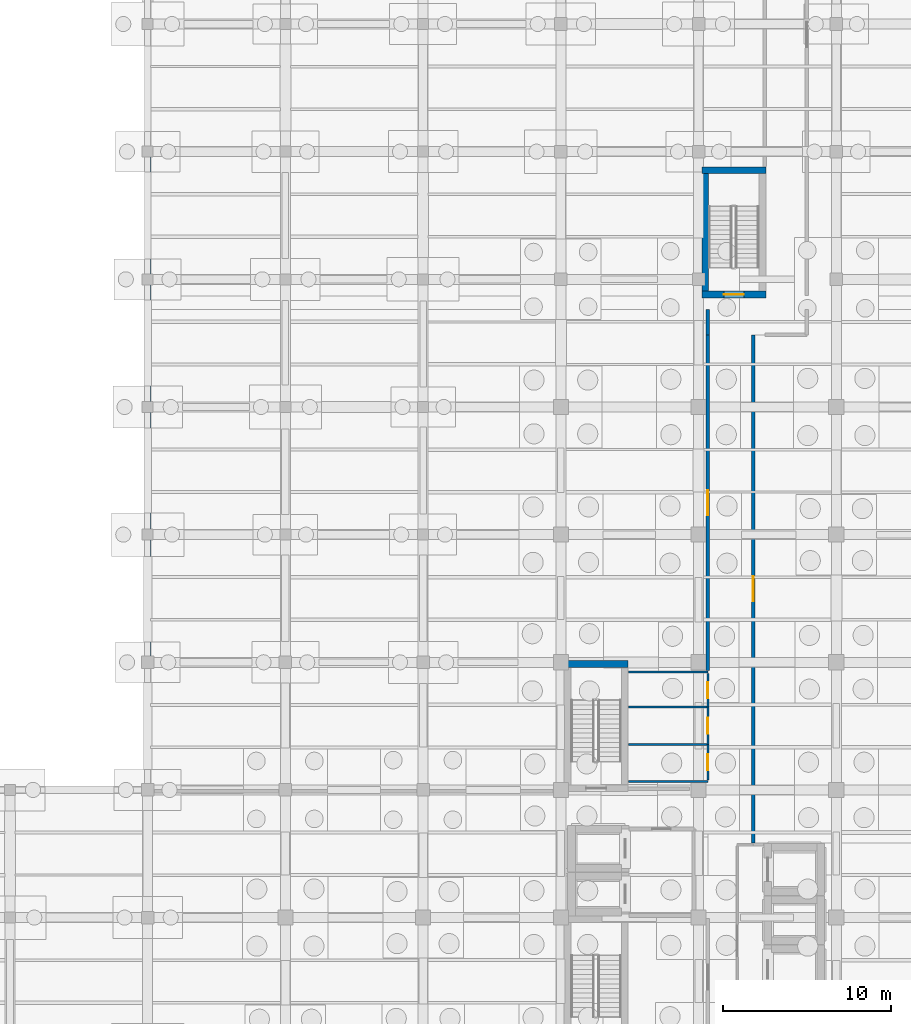
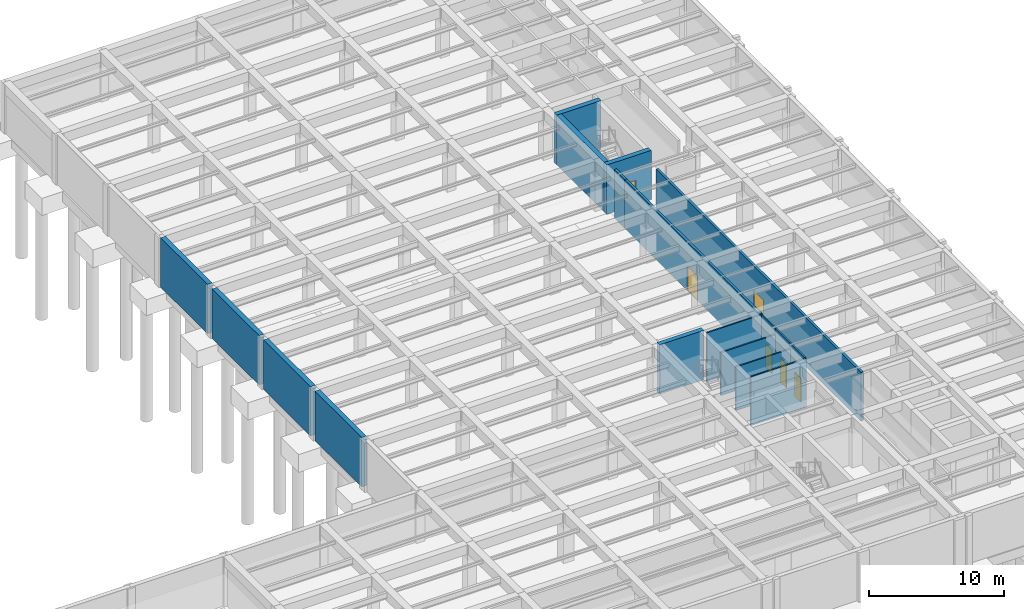
# One storey, part 19 of 29: 18 walls, 6 doors, 6 openings.
"""IFC4 building model written with IfcOpenShell, lengths in metres."""

from ifc_helpers import new_model, si_unit, direction, frame, frame_2d, origin, place, context, subcontext, project, spatial, rectangle, extrude, material, layer, layer_set, type_object, element, fill, save


model = new_model("IFC4")

# Units and contexts
model_context = context("Model", 3, precision=1e-05, world=origin(), true_north=direction((0.0, 1.0)))
body_context = subcontext(model_context, "Body", "Model", "MODEL_VIEW")
ifc_project = project(units=[si_unit("LENGTHUNIT", "METRE"), si_unit("AREAUNIT", "SQUARE_METRE"), si_unit("VOLUMEUNIT", "CUBIC_METRE"), si_unit("PLANEANGLEUNIT", "RADIAN"), si_unit("MASSUNIT", "GRAM", prefix="KILO")], contexts=[model_context])

# Site, building, storey
site_placement = place(None, origin())
site = spatial("IfcSite", under=ifc_project, at=site_placement, CompositionType="ELEMENT")
building_placement = place(site_placement, origin())
building = spatial("IfcBuilding", under=site, at=building_placement, Name="Qandaris Square Conservatory and Botanical Centre", CompositionType="ELEMENT")
storey_placement = place(building_placement, frame((0.0, 0.0, -4.800048828125)))
storey = spatial("IfcBuildingStorey", under=building, at=storey_placement, Name="B1", CompositionType="ELEMENT", Elevation=-4.800048828125)

# Walls
ifc_material_1 = material(Name="Concrete C50/60", Category="concrete")
ifc_layer_1 = layer(ifc_material_1, 0.39990234375)
ifc_layer_set_1 = layer_set([ifc_layer_1], Name="Concrete C50/60")
wall_type_1 = type_object("IfcWallType", Name="Basement Waterproof RC Retaining Wall 400mm", PredefinedType="SOLIDWALL", material=ifc_layer_set_1)
wall_1_placement = place(storey_placement, frame((114.60009765625, 47.375, 0.0), z_axis=(0.0, 0.0, 1.0), x_axis=(0.0, 1.0, 0.0)))
element("IfcWall", 1, at=wall_1_placement, inside=storey, type_object=wall_type_1, Name="Basement Retaining Wall 012", PredefinedType="SOLIDWALL", context=body_context, shape_type="SweptSolid", body=[
    extrude(rectangle(XDim=6.89990234375, YDim=0.39990234375, at=frame_2d((3.449951171875, 0.0))), origin(), (0.0, 0.0, 1.0), 4.4599609375),
])
wall_2_placement = place(storey_placement, frame((114.60009765625, 54.925048828125, 0.0), z_axis=(0.0, 0.0, 1.0), x_axis=(0.0, 1.0, 0.0)))
element("IfcWall", 2, at=wall_2_placement, inside=storey, type_object=wall_type_1, Name="Basement Retaining Wall 013", PredefinedType="SOLIDWALL", context=body_context, shape_type="SweptSolid", body=[
    extrude(rectangle(XDim=6.949951171875, YDim=0.39990234375, at=frame_2d((3.47509765625, 0.0))), origin(), (0.0, 0.0, 1.0), 4.4599609375),
])
wall_3_placement = place(storey_placement, frame((114.60009765625, 62.52490234375, 0.0), z_axis=(0.0, 0.0, 1.0), x_axis=(0.0, 1.0, 0.0)))
element("IfcWall", 3, at=wall_3_placement, inside=storey, type_object=wall_type_1, Name="Basement Retaining Wall 014", PredefinedType="SOLIDWALL", context=body_context, shape_type="SweptSolid", body=[
    extrude(rectangle(XDim=6.9501953125, YDim=0.39990234375, at=frame_2d((3.47509765625, 0.0))), origin(), (0.0, 0.0, 1.0), 4.4599609375),
])
wall_4_placement = place(storey_placement, frame((114.60009765625, 70.125, 0.0), z_axis=(0.0, 0.0, 1.0), x_axis=(0.0, 1.0, 0.0)))
element("IfcWall", 4, at=wall_4_placement, inside=storey, type_object=wall_type_1, Name="Basement Retaining Wall 015", PredefinedType="SOLIDWALL", context=body_context, shape_type="SweptSolid", body=[
    extrude(rectangle(XDim=6.949951171875, YDim=0.39990234375, at=frame_2d((3.47509765625, 0.0))), origin(), (0.0, 0.0, 1.0), 4.4599609375),
])

# Wall, opening, door
ifc_material_2 = material(Name="Concrete C40/50", Category="concrete")
ifc_layer_2 = layer(ifc_material_2, 0.199951171875)
ifc_layer_set_2 = layer_set([ifc_layer_2], Name="Concrete C40/50")
wall_type_2 = type_object("IfcWallType", Name="Herbarium & Plant Compartment Wall 200mm", PredefinedType="PARTITIONING", material=ifc_layer_set_2)
wall_5_placement = place(storey_placement, frame((150.64990234375, 66.5, 0.0), z_axis=(0.0, 0.0, 1.0), x_axis=(0.0, -1.0, 0.0)))
wall_5 = element("IfcWall", 5, at=wall_5_placement, inside=storey, type_object=wall_type_2, Name="Interior Partition IW-B1-0018", PredefinedType="PARTITIONING", context=body_context, shape_type="SweptSolid", body=[
    extrude(rectangle(XDim=30.25, YDim=0.199951171875, at=frame_2d((15.125, 0.0))), origin(), (0.0, 0.0, 1.0), 4.405029296875),
])
opening_1_placement = place(wall_5_placement, frame((14.375, 0.0, 0.0)))
opening_1 = element("IfcOpeningElement", 6, at=opening_1_placement, cuts=wall_5, Name="Opening D-PLT1", PredefinedType="OPENING", context=body_context, shape_type="SweptSolid", body=[
    extrude(rectangle(XDim=1.5, YDim=2.199951171875, at=frame_2d((0.75, 1.10009765625))), frame((0.0, 0.11181640625, 0.0), z_axis=(0.0, -1.0, 0.0), x_axis=(1.0, 0.0, 0.0)), (0.0, 0.0, 1.0), 0.223876953125),
])
ifc_material_3 = material(Name="Steel S355", Category="steel")
door_type_1 = type_object("IfcDoorType", Name="Plant & Riser Double Fire Door 1500x2200", OperationType="DOUBLE_DOOR_SINGLE_SWING", PredefinedType="DOOR", material=ifc_material_3)
door_1_placement = place(opening_1_placement, origin())
door_1 = element("IfcDoor", 7, at=door_1_placement, inside=storey, type_object=door_type_1, Name="DR-0009 Main Chilled Water and Pump Hall Door", OperationType="DOUBLE_DOOR_SINGLE_SWING", OverallHeight=2.199951171875, OverallWidth=1.5, PredefinedType="DOOR", context=body_context, shape_type="SweptSolid", body=[
    extrude(rectangle(XDim=1.5, YDim=2.199951171875, at=frame_2d((0.75, 1.10009765625))), frame((0.0, 0.02490234375, 0.0), z_axis=(0.0, -1.0, 0.0), x_axis=(1.0, 0.0, 0.0)), (0.0, 0.0, 1.0), 0.050048828125),
])
fill(opening_1, door_1)

wall_6_placement = place(storey_placement, frame((147.949951171875, 46.510009765625, 0.0), z_axis=(0.0, 0.0, 1.0), x_axis=(0.0, 1.0, 0.0)))
wall_6 = element("IfcWall", 8, at=wall_6_placement, inside=storey, type_object=wall_type_2, Name="Interior Partition IW-B1-0022", PredefinedType="PARTITIONING", context=body_context, shape_type="SweptSolid", body=[
    extrude(rectangle(XDim=19.989990234375, YDim=0.199951171875, at=frame_2d((9.9951171875, 0.0))), origin(), (0.0, 0.0, 1.0), 4.405029296875),
])
opening_2_placement = place(wall_6_placement, frame((9.2451171875, 0.0, 0.0)))
opening_2 = element("IfcOpeningElement", 9, at=opening_2_placement, cuts=wall_6, Name="Opening D-PLT1", PredefinedType="OPENING", context=body_context, shape_type="SweptSolid", body=[
    extrude(rectangle(XDim=1.5, YDim=2.199951171875, at=frame_2d((0.75, 1.10009765625))), frame((0.0, 0.11181640625, 0.0), z_axis=(0.0, -1.0, 0.0), x_axis=(1.0, 0.0, 0.0)), (0.0, 0.0, 1.0), 0.223876953125),
])
door_2_placement = place(opening_2_placement, frame((1.5, 0.0, 0.0), z_axis=(0.0, 0.0, 1.0), x_axis=(-1.0, 0.0, 0.0)))
door_2 = element("IfcDoor", 10, at=door_2_placement, inside=storey, type_object=door_type_1, Name="DR-0012 Field Expedition Equipment Store Door", OperationType="DOUBLE_DOOR_SINGLE_SWING", OverallHeight=2.199951171875, OverallWidth=1.5, PredefinedType="DOOR", context=body_context, shape_type="SweptSolid", body=[
    extrude(rectangle(XDim=1.5, YDim=2.199951171875, at=frame_2d((0.75, 1.10009765625))), frame((0.0, 0.02490234375, 0.0), z_axis=(0.0, -1.0, 0.0), x_axis=(1.0, 0.0, 0.0)), (0.0, 0.0, 1.0), 0.050048828125),
])
fill(opening_2, door_2)

# Walls
wall_7_placement = place(storey_placement, frame((147.949951171875, 66.5, 0.0), z_axis=(0.0, 0.0, 1.0), x_axis=(0.0, 1.0, 0.0)))
element("IfcWall", 11, at=wall_7_placement, inside=storey, type_object=wall_type_2, Name="Interior Partition IW-B1-0023", PredefinedType="PARTITIONING", context=body_context, shape_type="SweptSolid", body=[
    extrude(rectangle(XDim=1.5, YDim=0.199951171875, at=frame_2d((0.75, 0.0))), origin(), (0.0, 0.0, 1.0), 4.405029296875),
])
ifc_layer_3 = layer(ifc_material_1, 0.39990234375)
ifc_layer_set_3 = layer_set([ifc_layer_3], Name="Concrete C50/60")
wall_type_3 = type_object("IfcWallType", Name="RC Stair Core Shear Wall 400mm", PredefinedType="SHEAR", material=ifc_layer_set_3)
wall_8_placement = place(storey_placement, frame((139.39990234375, 46.89990234375, 0.0), z_axis=(0.0, 0.0, 1.0), x_axis=(1.0, 0.0, 0.0)))
element("IfcWall", 12, at=wall_8_placement, inside=storey, type_object=wall_type_3, Name="ST-2 Core Shear Wall North (B1)", PredefinedType="SHEAR", context=body_context, shape_type="SweptSolid", body=[
    extrude(rectangle(XDim=3.800048828125, YDim=0.39990234375, at=frame_2d((1.89990234375, 0.0))), origin(), (0.0, 0.0, 1.0), 4.4599609375),
])

# Wall, opening, door
wall_9_placement = place(storey_placement, frame((147.60009765625, 68.89990234375, 0.0), z_axis=(0.0, 0.0, 1.0), x_axis=(1.0, 0.0, 0.0)))
wall_9 = element("IfcWall", 13, at=wall_9_placement, inside=storey, type_object=wall_type_3, Name="ST-3 Core Shear Wall South (B1)", PredefinedType="SHEAR", context=body_context, shape_type="SweptSolid", body=[
    extrude(rectangle(XDim=3.7998046875, YDim=0.39990234375, at=frame_2d((1.89990234375, 0.0))), origin(), (0.0, 0.0, 1.0), 4.4599609375),
])
opening_3_placement = place(wall_9_placement, frame((1.300048828125, 0.0, 0.0)))
opening_3 = element("IfcOpeningElement", 14, at=opening_3_placement, cuts=wall_9, Name="Opening D-ST1", PredefinedType="OPENING", context=body_context, shape_type="SweptSolid", body=[
    extrude(rectangle(XDim=1.199951171875, YDim=2.199951171875, at=frame_2d((0.60009765625, 1.10009765625))), frame((0.0, 0.2119140625, 0.0), z_axis=(0.0, -1.0, 0.0), x_axis=(1.0, 0.0, 0.0)), (0.0, 0.0, 1.0), 0.423828125),
])
door_type_2 = type_object("IfcDoorType", Name="Exit Stair Core Fire Door 1200x2200", OperationType="NOTDEFINED", PredefinedType="DOOR", material=ifc_material_3)
door_3_placement = place(opening_3_placement, origin())
door_3 = element("IfcDoor", 15, at=door_3_placement, inside=storey, type_object=door_type_2, Name="DR-0021 ST-3 Stair Core Door (B1)", OperationType="SINGLE_SWING_LEFT", OverallHeight=2.199951171875, OverallWidth=1.199951171875, PredefinedType="DOOR", context=body_context, shape_type="SweptSolid", body=[
    extrude(rectangle(XDim=1.199951171875, YDim=2.199951171875, at=frame_2d((0.60009765625, 1.10009765625))), frame((0.0, 0.02490234375, 0.0), z_axis=(0.0, -1.0, 0.0), x_axis=(1.0, 0.0, 0.0)), (0.0, 0.0, 1.0), 0.050048828125),
])
fill(opening_3, door_3)

# Walls
wall_10_placement = place(storey_placement, frame((147.60009765625, 76.300048828125, 0.0), z_axis=(0.0, 0.0, 1.0), x_axis=(1.0, 0.0, 0.0)))
element("IfcWall", 16, at=wall_10_placement, inside=storey, type_object=wall_type_3, Name="ST-3 Core Shear Wall North (B1)", PredefinedType="SHEAR", context=body_context, shape_type="SweptSolid", body=[
    extrude(rectangle(XDim=3.7998046875, YDim=0.39990234375, at=frame_2d((1.89990234375, 0.0))), origin(), (0.0, 0.0, 1.0), 4.4599609375),
])
wall_11_placement = place(storey_placement, frame((147.800048828125, 69.10009765625, 0.0), z_axis=(0.0, 0.0, 1.0), x_axis=(0.0, 1.0, 0.0)))
element("IfcWall", 17, at=wall_11_placement, inside=storey, type_object=wall_type_3, Name="ST-3 Core Shear Wall West (B1)", PredefinedType="SHEAR", context=body_context, shape_type="SweptSolid", body=[
    extrude(rectangle(XDim=7.0, YDim=0.39990234375, at=frame_2d((3.5, 0.0))), origin(), (0.0, 0.0, 1.0), 4.4599609375),
])
ifc_material_4 = material(Name="Gypsum Plasterboard", Category="gypsum")
ifc_layer_4 = layer(ifc_material_4, 0.1201171875)
ifc_layer_set_4 = layer_set([ifc_layer_4], Name="Gypsum Plasterboard")
wall_type_4 = type_object("IfcWallType", Name="Standard Research Partition 120mm", PredefinedType="PARTITIONING", material=ifc_layer_set_4)
for number, where, z_axis, x_axis, name in (
    (18, (143.22998046875, 39.89990234375, 0.0), (0.0, 0.0, 1.0), (1.0, 0.0, 0.0), "Sanitary Toilet Partition Wall WCW-B1-SOUTH1"),
    (19, (143.22998046875, 46.419921875, 0.0), (0.0, 0.0, 1.0), (1.0, 0.0, 0.0), "Sanitary Toilet Partition Wall WCW-B1-NORTH1"),
):
    element("IfcWall", number, at=place(storey_placement, frame(where, z_axis=z_axis, x_axis=x_axis)), inside=storey, type_object=wall_type_4, Name=name, PredefinedType="PARTITIONING", context=body_context, shape_type="SweptSolid", body=[
        extrude(rectangle(XDim=4.719970703125, YDim=0.1201171875, at=frame_2d((2.35986328125, 0.0))), origin(), (0.0, 0.0, 1.0), 4.405029296875),
    ])
wall_12_placement = place(storey_placement, frame((143.22998046875, 42.1201171875, 0.0), z_axis=(0.0, 0.0, 1.0), x_axis=(1.0, 0.0, 0.0)))
element("IfcWall", 20, at=wall_12_placement, inside=storey, type_object=wall_type_4, Name="Interior Partition IW-B1-0005", PredefinedType="PARTITIONING", context=body_context, shape_type="SweptSolid", body=[
    extrude(rectangle(XDim=4.719970703125, YDim=0.1201171875, at=frame_2d((2.35986328125, 0.0))), origin(), (0.0, 0.0, 1.0), 3.93505859375),
])

# Wall, opening, door
wall_13_placement = place(storey_placement, frame((147.949951171875, 42.1201171875, 0.0), z_axis=(0.0, 0.0, 1.0), x_axis=(0.0, -1.0, 0.0)))
wall_13 = element("IfcWall", 21, at=wall_13_placement, inside=storey, type_object=wall_type_4, Name="Interior Partition IW-B1-0006", PredefinedType="PARTITIONING", context=body_context, shape_type="SweptSolid", body=[
    extrude(rectangle(XDim=2.130126953125, YDim=0.1201171875, at=frame_2d((1.06494140625, 0.0))), origin(), (0.0, 0.0, 1.0), 4.405029296875),
])
opening_4_placement = place(wall_13_placement, frame((0.590087890625, 0.0, 0.0)))
opening_4 = element("IfcOpeningElement", 22, at=opening_4_placement, cuts=wall_13, Name="Opening D-WC1", PredefinedType="OPENING", context=body_context, shape_type="SweptSolid", body=[
    extrude(rectangle(XDim=0.949951171875, YDim=2.14990234375, at=frame_2d((0.47509765625, 1.074951171875))), frame((0.0, 0.072021484375, 0.0), z_axis=(0.0, -1.0, 0.0), x_axis=(1.0, 0.0, 0.0)), (0.0, 0.0, 1.0), 0.14404296875),
])
ifc_material_5 = material(Name="Engineered Oak Timber", Category="wood")
door_type_3 = type_object("IfcDoorType", Name="Accessible Sanitary Room Door 950x2150", OperationType="NOTDEFINED", PredefinedType="DOOR", material=ifc_material_5)
door_4_placement = place(opening_4_placement, origin())
door_4 = element("IfcDoor", 23, at=door_4_placement, inside=storey, type_object=door_type_3, Name="DR-0023 Accessible Toilet B1 Door", OperationType="SINGLE_SWING_RIGHT", OverallHeight=2.14990234375, OverallWidth=0.949951171875, PredefinedType="DOOR", context=body_context, shape_type="SweptSolid", body=[
    extrude(rectangle(XDim=0.949951171875, YDim=2.14990234375, at=frame_2d((0.47509765625, 1.074951171875))), frame((0.0, 0.02490234375, 0.0), z_axis=(0.0, -1.0, 0.0), x_axis=(1.0, 0.0, 0.0)), (0.0, 0.0, 1.0), 0.050048828125),
])
fill(opening_4, door_4)

# Wall
wall_14_placement = place(storey_placement, frame((143.22998046875, 44.340087890625, 0.0), z_axis=(0.0, 0.0, 1.0), x_axis=(1.0, 0.0, 0.0)))
element("IfcWall", 24, at=wall_14_placement, inside=storey, type_object=wall_type_4, Name="Interior Partition IW-B1-0007", PredefinedType="PARTITIONING", context=body_context, shape_type="SweptSolid", body=[
    extrude(rectangle(XDim=4.719970703125, YDim=0.1201171875, at=frame_2d((2.35986328125, 0.0))), origin(), (0.0, 0.0, 1.0), 3.885009765625),
])

# Wall, opening, door
wall_15_placement = place(storey_placement, frame((147.949951171875, 44.340087890625, 0.0), z_axis=(0.0, 0.0, 1.0), x_axis=(0.0, -1.0, 0.0)))
wall_15 = element("IfcWall", 25, at=wall_15_placement, inside=storey, type_object=wall_type_4, Name="Interior Partition IW-B1-0008", PredefinedType="PARTITIONING", context=body_context, shape_type="SweptSolid", body=[
    extrude(rectangle(XDim=2.219970703125, YDim=0.1201171875, at=frame_2d((1.10986328125, 0.0))), origin(), (0.0, 0.0, 1.0), 4.405029296875),
])
opening_5_placement = place(wall_15_placement, frame((0.635009765625, 0.0, 0.0)))
opening_5 = element("IfcOpeningElement", 26, at=opening_5_placement, cuts=wall_15, Name="Opening D-WC1", PredefinedType="OPENING", context=body_context, shape_type="SweptSolid", body=[
    extrude(rectangle(XDim=0.949951171875, YDim=2.14990234375, at=frame_2d((0.47509765625, 1.074951171875))), frame((0.0, 0.072021484375, 0.0), z_axis=(0.0, -1.0, 0.0), x_axis=(1.0, 0.0, 0.0)), (0.0, 0.0, 1.0), 0.14404296875),
])
door_5_placement = place(opening_5_placement, origin())
door_5 = element("IfcDoor", 27, at=door_5_placement, inside=storey, type_object=door_type_3, Name="DR-0024 Staff Male Toilet B1 Door", OperationType="SINGLE_SWING_LEFT", OverallHeight=2.14990234375, OverallWidth=0.949951171875, PredefinedType="DOOR", context=body_context, shape_type="SweptSolid", body=[
    extrude(rectangle(XDim=0.949951171875, YDim=2.14990234375, at=frame_2d((0.47509765625, 1.074951171875))), frame((0.0, 0.02490234375, 0.0), z_axis=(0.0, -1.0, 0.0), x_axis=(1.0, 0.0, 0.0)), (0.0, 0.0, 1.0), 0.050048828125),
])
fill(opening_5, door_5)

wall_16_placement = place(storey_placement, frame((147.949951171875, 46.330078125, 0.0), z_axis=(0.0, 0.0, 1.0), x_axis=(0.0, -1.0, 0.0)))
wall_16 = element("IfcWall", 28, at=wall_16_placement, inside=storey, type_object=wall_type_4, Name="Interior Partition IW-B1-0009", PredefinedType="PARTITIONING", context=body_context, shape_type="SweptSolid", body=[
    extrude(rectangle(XDim=1.989990234375, YDim=0.1201171875, at=frame_2d((0.9951171875, 0.0))), origin(), (0.0, 0.0, 1.0), 4.405029296875),
])
opening_6_placement = place(wall_16_placement, frame((0.52001953125, 0.0, 0.0)))
opening_6 = element("IfcOpeningElement", 29, at=opening_6_placement, cuts=wall_16, Name="Opening D-WC1", PredefinedType="OPENING", context=body_context, shape_type="SweptSolid", body=[
    extrude(rectangle(XDim=0.949951171875, YDim=2.14990234375, at=frame_2d((0.47509765625, 1.074951171875))), frame((0.0, 0.072021484375, 0.0), z_axis=(0.0, -1.0, 0.0), x_axis=(1.0, 0.0, 0.0)), (0.0, 0.0, 1.0), 0.14404296875),
])
door_6_placement = place(opening_6_placement, frame((0.949951171875, 0.0, 0.0), z_axis=(0.0, 0.0, 1.0), x_axis=(-1.0, 0.0, 0.0)))
door_6 = element("IfcDoor", 30, at=door_6_placement, inside=storey, type_object=door_type_3, Name="DR-0025 Staff Female Toilet B1 Door", OperationType="SINGLE_SWING_RIGHT", OverallHeight=2.14990234375, OverallWidth=0.949951171875, PredefinedType="DOOR", context=body_context, shape_type="SweptSolid", body=[
    extrude(rectangle(XDim=0.949951171875, YDim=2.14990234375, at=frame_2d((0.47509765625, 1.074951171875))), frame((0.0, 0.02490234375, 0.0), z_axis=(0.0, -1.0, 0.0), x_axis=(1.0, 0.0, 0.0)), (0.0, 0.0, 1.0), 0.050048828125),
])
fill(opening_6, door_6)

save(model, "model.ifc")
